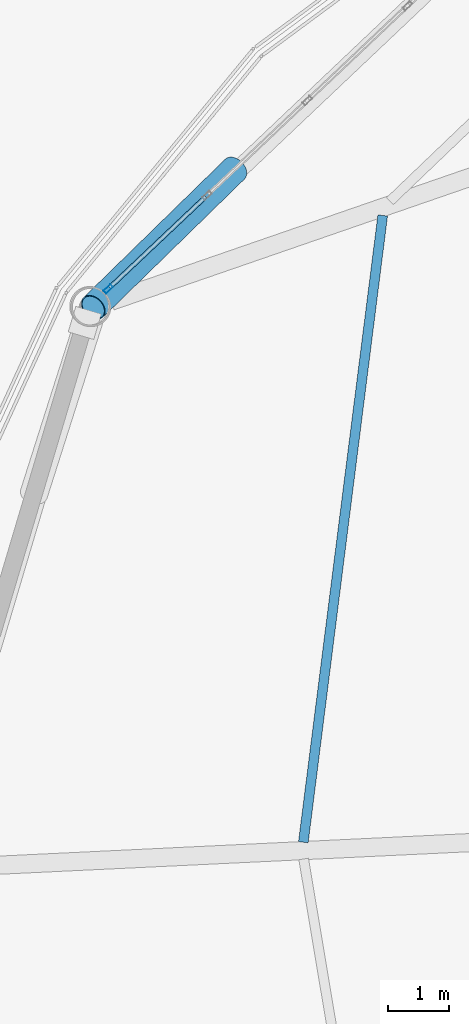
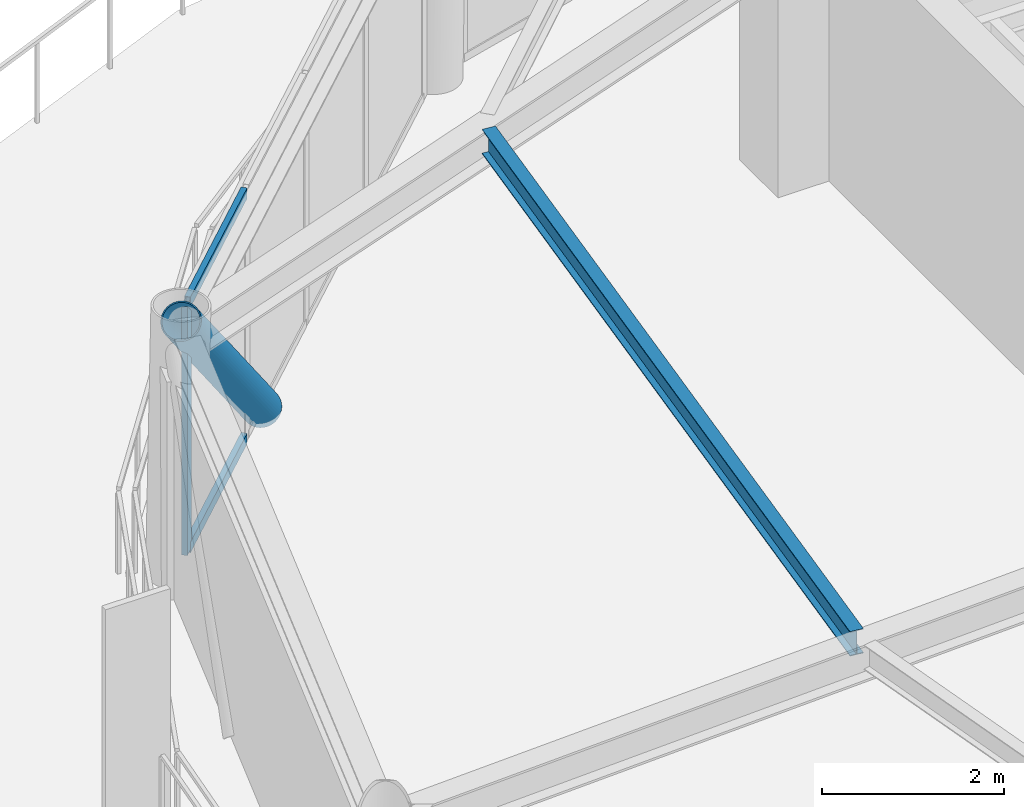
# One storey, part 6 of 25: 4 members, 1 beam, 1 element without a shape of its own.
"""IFC4 building model written with IfcOpenShell, lengths in metres."""

from ifc_helpers import new_model, si_unit, direction, frame, origin, origin_2d, place, context, subcontext, project, spatial, hollow_rectangle, hollow_circle, i_section, extrude, material, layer, layer_set, material_profile, profile_set, type_object, element, aggregate, save


model = new_model("IFC4")

# Units and contexts
model_context = context("Model", 3, precision=1e-05, world=origin(), true_north=direction((0.0, 1.0)))
body_context = subcontext(model_context, "Body", "Model", "MODEL_VIEW")
ifc_project = project(units=[si_unit("LENGTHUNIT", "METRE"), si_unit("AREAUNIT", "SQUARE_METRE"), si_unit("VOLUMEUNIT", "CUBIC_METRE"), si_unit("PLANEANGLEUNIT", "RADIAN"), si_unit("MASSUNIT", "GRAM", prefix="KILO")], contexts=[model_context])

# Site, building, storey
site_placement = place(None, origin())
site = spatial("IfcSite", under=ifc_project, at=site_placement, CompositionType="ELEMENT")
building_placement = place(site_placement, origin())
building = spatial("IfcBuilding", under=site, at=building_placement, Name="Varnakorn Sky Granary", CompositionType="ELEMENT")
storey_placement = place(building_placement, frame((0.0, 0.0, 178.800048828125)))
storey = spatial("IfcBuildingStorey", under=building, at=storey_placement, Name="L44", CompositionType="ELEMENT", Elevation=178.800048828125)

# Beam
ifc_material_1 = material(Name="Steel S355JR", Category="steel")
ifc_material_profile_1 = material_profile(ifc_material_1, i_section(OverallWidth=0.159912109375, OverallDepth=0.330078125, WebThickness=0.007568359375, FlangeThickness=0.011474609375, at=origin_2d()), Name="IPE 330")
ifc_profile_set_1 = profile_set([ifc_material_profile_1], Name="Steel S355JR")
beam_type = type_object("IfcBeamType", Name="BM-SEC-Z4", PredefinedType="BEAM", material=ifc_profile_set_1)
beam_placement = place(storey_placement, frame((-7.323486328125, 10.793212890625, 3.195068359375), z_axis=(-0.125634963661, -0.992076537323, 0.0), x_axis=(0.992076537323, -0.125634963661, 0.0)))
element("IfcBeam", 1, at=beam_placement, inside=storey, type_object=beam_type, Name="Secondary Floor Chord Beam MSB06 L44", PredefinedType="BEAM", context=body_context, shape_type="SweptSolid", body=[
    extrude(i_section(OverallWidth=0.159912109375, OverallDepth=0.330078125, WebThickness=0.007568359375, FlangeThickness=0.011474609375, at=origin_2d()), origin(), (0.0, 0.0, 1.0), 10.439208984375),
])

# Curtain wall, members
ifc_material_2 = material(Name="Anodised Bronze Aluminium Alloy 6063-T6", Category="aluminium")
ifc_layer = layer(ifc_material_2, 0.169921875, Name="Anodised Bronze Aluminium Alloy 6063-T6")
ifc_layer_set = layer_set([ifc_layer], Name="Anodised Bronze Aluminium Alloy 6063-T6")
curtain_wall_type = type_object("IfcCurtainWallType", Name="CW-LAB-1", PredefinedType="USERDEFINED", material=ifc_layer_set)
curtain_wall_placement = place(storey_placement, origin())
curtain_wall = element("IfcCurtainWall", 2, at=curtain_wall_placement, inside=storey, type_object=curtain_wall_type, Name="Unitised Curtain Wall CW5 CW-L44-B05", ObjectType="CURTAIN WALL", PredefinedType="USERDEFINED")
ifc_material_profile_2 = material_profile(ifc_material_2, hollow_rectangle(XDim=0.06494140625, YDim=0.159912109375, WallThickness=0.00341796875, at=origin_2d()), Name="ALU MULL 65x160")
ifc_profile_set_2 = profile_set([ifc_material_profile_2], Name="Anodised Bronze Aluminium Alloy 6063-T6")
member_type_1 = type_object("IfcMemberType", Name="CW-LAB-1-MULL", PredefinedType="MULLION", material=ifc_profile_set_2)
member_1_placement = place(storey_placement, frame((-11.857666015625, 9.580810546875, 0.0), z_axis=(0.0, 0.0, 1.0), x_axis=(-0.687123508986, 0.726540627494, 0.0)))
member_1 = element("IfcMember", 3, at=member_1_placement, type_object=member_type_1, Name="CW5 mullion 1", PredefinedType="MULLION", context=body_context, shape_type="SweptSolid", body=[
    extrude(hollow_rectangle(XDim=0.06494140625, YDim=0.159912109375, WallThickness=0.00341796875, at=origin_2d()), origin(), (0.0, 0.0, 1.0), 3.35986328125),
])
ifc_material_profile_3 = material_profile(ifc_material_2, hollow_rectangle(XDim=0.070068359375, YDim=0.139892578125, WallThickness=0.00341796875, at=origin_2d()), Name="ALU TRAN 70x140")
ifc_profile_set_3 = profile_set([ifc_material_profile_3], Name="Anodised Bronze Aluminium Alloy 6063-T6")
member_type_2 = type_object("IfcMemberType", Name="CW-LAB-1-TRAN", PredefinedType="USERDEFINED", material=ifc_profile_set_3)
member_2_placement = place(storey_placement, frame((-11.834228515625, 9.603271484375, 0.034912109375), z_axis=(0.726578610065, 0.687083345305, 0.0), x_axis=(-0.687083345305, 0.726578610065, 0.0)))
member_2 = element("IfcMember", 4, at=member_2_placement, type_object=member_type_2, Name="CW5 transom 1.1", ObjectType="TRANSOM", PredefinedType="USERDEFINED", context=body_context, shape_type="SweptSolid", body=[
    extrude(hollow_rectangle(XDim=0.070068359375, YDim=0.139892578125, WallThickness=0.00341796875, at=origin_2d()), origin(), (0.0, 0.0, 1.0), 2.18212890625),
])
member_3_placement = place(storey_placement, frame((-11.834228515625, 9.603271484375, 3.324951171875), z_axis=(0.726578610065, 0.687083345305, 0.0), x_axis=(-0.687083345305, 0.726578610065, 0.0)))
member_3 = element("IfcMember", 5, at=member_3_placement, type_object=member_type_2, Name="CW5 transom 1.2", ObjectType="TRANSOM", PredefinedType="USERDEFINED", context=body_context, shape_type="SweptSolid", body=[
    extrude(hollow_rectangle(XDim=0.070068359375, YDim=0.139892578125, WallThickness=0.00341796875, at=origin_2d()), origin(), (0.0, 0.0, 1.0), 2.18212890625),
])
aggregate(curtain_wall, [member_1, member_2, member_3])

# Member
ifc_material_3 = material(Name="Steel S460M", Category="steel")
ifc_material_profile_4 = material_profile(ifc_material_3, hollow_circle(Radius=0.228515625, WallThickness=0.01611328125, at=origin_2d()), Name="CHS 457x16")
ifc_profile_set_4 = profile_set([ifc_material_profile_4], Name="Steel S460M")
member_type_3 = type_object("IfcMemberType", Name="MB-DIAG-T3", PredefinedType="BRACE", material=ifc_profile_set_4)
member_4_placement = place(storey_placement, frame((-9.767578125, 11.5576171875, 0.0), z_axis=(-0.498954289496, -0.487236857585, 0.716690213135), x_axis=(0.698655977756, -0.71545777286, 0.0)))
element("IfcMember", 6, at=member_4_placement, inside=storey, type_object=member_type_3, Name="Perimeter CHS Diagrid Brace DG05 L44", PredefinedType="BRACE", context=body_context, shape_type="SweptSolid", body=[
    extrude(hollow_circle(Radius=0.228515625, WallThickness=0.01611328125, at=origin_2d()), origin(), (0.0, 0.0, 1.0), 4.68798828125),
])

save(model, "model.ifc")
